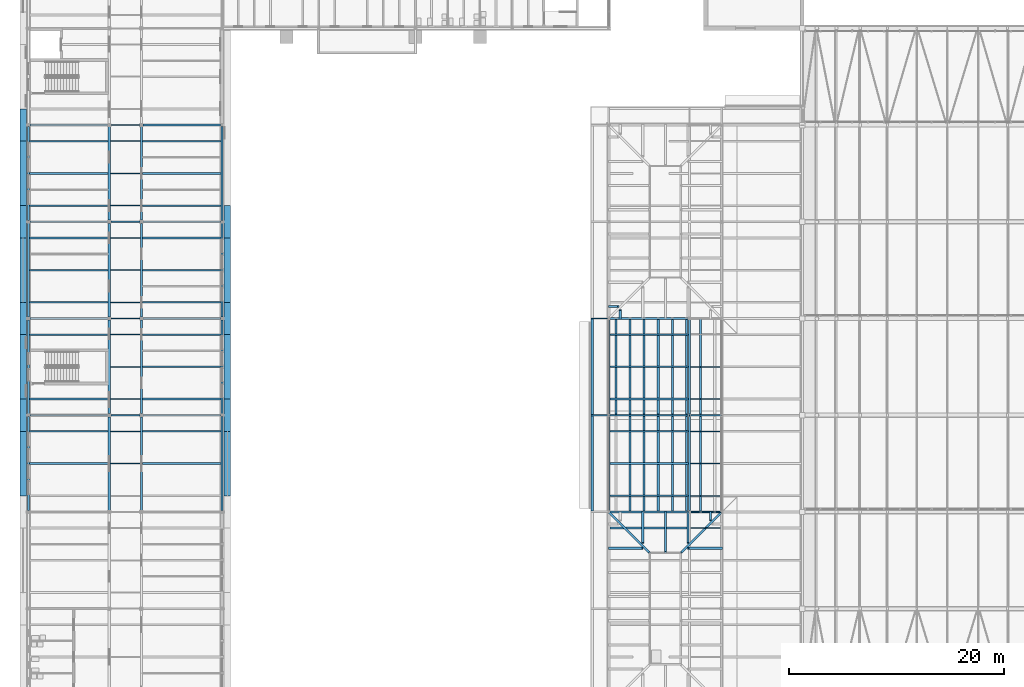
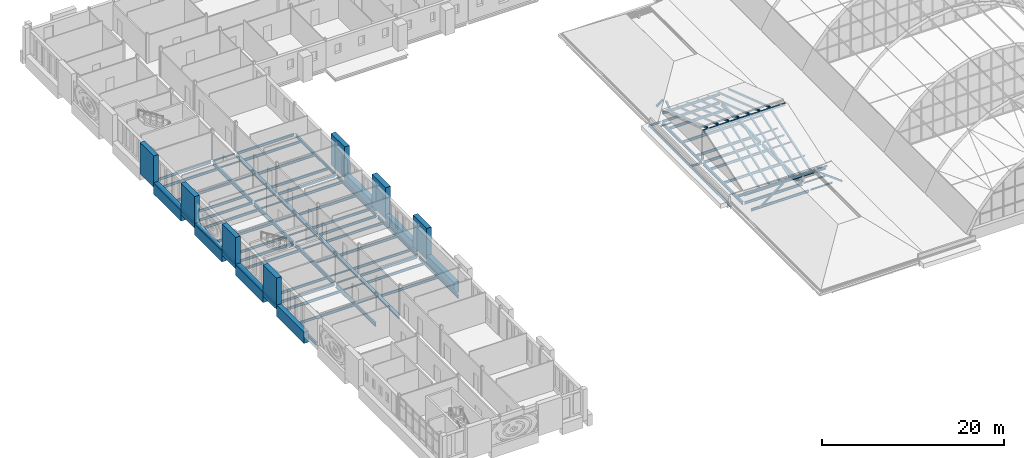
# One storey, part 18 of 121: 98 beams, 30 members.
"""IFC4 building model written with IfcOpenShell, lengths in metres."""

from ifc_helpers import new_model, si_unit, direction, frame, origin, origin_2d, place, context, subcontext, project, spatial, rectangle, hollow_rectangle, i_section, extrude, material, material_profile, profile_set, type_object, element, save


model = new_model("IFC4")

# Units and contexts
model_context = context("Model", 3, precision=1e-05, world=origin(), true_north=direction((0.0, 1.0)))
body_context = subcontext(model_context, "Body", "Model", "MODEL_VIEW")
ifc_project = project(units=[si_unit("LENGTHUNIT", "METRE"), si_unit("AREAUNIT", "SQUARE_METRE"), si_unit("VOLUMEUNIT", "CUBIC_METRE"), si_unit("PLANEANGLEUNIT", "RADIAN"), si_unit("MASSUNIT", "GRAM", prefix="KILO")], contexts=[model_context])

# Site, building, storey
site_placement = place(None, origin())
site = spatial("IfcSite", under=ifc_project, at=site_placement, CompositionType="ELEMENT")
building_placement = place(site_placement, origin())
building = spatial("IfcBuilding", under=site, at=building_placement, Name="Golden Quay Civic Hall", CompositionType="ELEMENT")
storey_placement = place(building_placement, frame((0.0, 0.0, 18.60009765625)))
storey = spatial("IfcBuildingStorey", under=building, at=storey_placement, Name="L04", CompositionType="ELEMENT", Elevation=18.60009765625)

# Beams
ifc_material_1 = material(Name="Steel S355", Category="steel")
ifc_material_profile_1 = material_profile(ifc_material_1, i_section(OverallWidth=0.199951171875, OverallDepth=0.18994140625, WebThickness=0.006591796875, FlangeThickness=0.010009765625, FilletRadius=0.01806640625, at=origin_2d()), Name="HEA 200")
ifc_profile_set_1 = profile_set([ifc_material_profile_1], Name="Steel S355")
beam_type_1 = type_object("IfcBeamType", Name="Eave edge beam HEA 200", PredefinedType="BEAM", material=ifc_profile_set_1)
for number, where, z_axis, x_axis, name in (
    (1, (52.449951171875, 18.0673828125, -0.34521484375), (0.0, 1.0, 0.0), (-1.0, 0.0, 0.0), "Eave edge beam HEA 200 L04 3"),
    (2, (52.449951171875, 27.0673828125, -0.34521484375), (0.0, 1.0, 0.0), (-1.0, 0.0, 0.0), "Eave edge beam HEA 200 L04 4"),
):
    element("IfcBeam", number, at=place(storey_placement, frame(where, z_axis=z_axis, x_axis=x_axis)), inside=storey, type_object=beam_type_1, Name=name, PredefinedType="BEAM", context=body_context, shape_type="SweptSolid", body=[
        extrude(i_section(OverallWidth=0.199951171875, OverallDepth=0.18994140625, WebThickness=0.006591796875, FlangeThickness=0.010009765625, FilletRadius=0.01806640625, at=origin_2d()), origin(), (0.0, 0.0, 1.0), 8.865234375),
    ])
ifc_material_2 = material(Name="Steel S355", Category="steel")
ifc_material_profile_2 = material_profile(ifc_material_2, i_section(OverallWidth=0.135009765625, OverallDepth=0.27001953125, WebThickness=0.006591796875, FlangeThickness=0.01025390625, FilletRadius=0.014892578125, at=origin_2d()), Name="IPE 270")
ifc_profile_set_2 = profile_set([ifc_material_profile_2], Name="Steel S355")
beam_type_2 = type_object("IfcBeamType", Name="Eave stub IPE 270", PredefinedType="BEAM", material=ifc_profile_set_2)
for number, where, z_axis, x_axis, name in (
    (3, (53.89990234375, 27.0, -0.385009765625), (-1.0, 0.0, 0.0), (0.0, -1.0, 0.0), "Eave stub IPE 270 L04 4"),
    (4, (53.89990234375, 36.0, -0.385009765625), (-1.0, 0.0, 0.0), (0.0, -1.0, 0.0), "Eave stub IPE 270 L04 5"),
):
    element("IfcBeam", number, at=place(storey_placement, frame(where, z_axis=z_axis, x_axis=x_axis)), inside=storey, type_object=beam_type_2, Name=name, PredefinedType="BEAM", context=body_context, shape_type="SweptSolid", body=[
        extrude(i_section(OverallWidth=0.135009765625, OverallDepth=0.27001953125, WebThickness=0.006591796875, FlangeThickness=0.01025390625, FilletRadius=0.014892578125, at=origin_2d()), origin(), (0.0, 0.0, 1.0), 1.5498046875),
    ])

# Members
ifc_material_3 = material(Name="Concrete C40/50", Category="concrete")
ifc_material_profile_3 = material_profile(ifc_material_3, rectangle(XDim=3.0, YDim=0.60009765625, at=origin_2d()), Name="RC 3000x600")
ifc_profile_set_3 = profile_set([ifc_material_profile_3], Name="Concrete C40/50")
member_type_1 = type_object("IfcMemberType", Name="Precast concrete facade pier 3000 x 600", PredefinedType="POST", material=ifc_profile_set_3)
for number, where, z_axis, x_axis, name in (
    (5, (-0.5, 27.0, 0.0), (0.0, 0.0, 1.0), (0.0, 1.0, 0.0), "Precast concrete facade pier 3000 x 600 L04 3"),
    (6, (-0.5, 36.0, 0.0), (0.0, 0.0, 1.0), (0.0, 1.0, 0.0), "Precast concrete facade pier 3000 x 600 L04 4"),
    (7, (-0.5, 45.0, 0.0), (0.0, 0.0, 1.0), (0.0, 1.0, 0.0), "Precast concrete facade pier 3000 x 600 L04 5"),
    (8, (-0.5, 54.0, 0.0), (0.0, 0.0, 1.0), (0.0, 1.0, 0.0), "Precast concrete facade pier 3000 x 600 L04 6"),
    (9, (18.5, 27.0, 0.0), (0.0, 0.0, 1.0), (0.0, 1.0, 0.0), "Precast concrete facade pier 3000 x 600 L04 14"),
    (10, (18.5, 36.0, 0.0), (0.0, 0.0, 1.0), (0.0, 1.0, 0.0), "Precast concrete facade pier 3000 x 600 L04 15"),
    (11, (18.5, 45.0, 0.0), (0.0, 0.0, 1.0), (0.0, 1.0, 0.0), "Precast concrete facade pier 3000 x 600 L04 16"),
):
    element("IfcMember", number, at=place(storey_placement, frame(where, z_axis=z_axis, x_axis=x_axis)), inside=storey, type_object=member_type_1, Name=name, PredefinedType="POST", context=body_context, shape_type="SweptSolid", body=[
        extrude(rectangle(XDim=3.0, YDim=0.60009765625, at=origin_2d()), origin(), (0.0, 0.0, 1.0), 4.199951171875),
    ])

# Beams
ifc_material_4 = material(Name="Concrete C40/50", Category="concrete")
ifc_material_profile_4 = material_profile(ifc_material_4, rectangle(XDim=0.60009765625, YDim=1.5, at=origin_2d()), Name="RC 600x1500")
ifc_profile_set_4 = profile_set([ifc_material_profile_4], Name="Concrete C40/50")
beam_type_3 = type_object("IfcBeamType", Name="Precast concrete spandrel beam 600 x 1500", PredefinedType="SPANDREL", material=ifc_profile_set_4)
for number, where, z_axis, x_axis, name in (
    (12, (-0.5, 37.5, -0.150146484375), (0.0, 1.0, 0.0), (-1.0, 0.0, 0.0), "Precast concrete spandrel beam 600 x 1500 L04 1"),
    (13, (-0.5, 46.5, -0.150146484375), (0.0, 1.0, 0.0), (-1.0, 0.0, 0.0), "Precast concrete spandrel beam 600 x 1500 L04 8"),
    (14, (-0.5, 28.5, -0.150146484375), (0.0, 1.0, 0.0), (-1.0, 0.0, 0.0), "Precast concrete spandrel beam 600 x 1500 L04 9"),
    (15, (-0.5, 19.5, -0.150146484375), (0.0, 1.0, 0.0), (-1.0, 0.0, 0.0), "Precast concrete spandrel beam 600 x 1500 L04 10"),
    (16, (18.5, 19.5, -0.150146484375), (0.0, 1.0, 0.0), (-1.0, 0.0, 0.0), "Precast concrete spandrel beam 600 x 1500 L04 15"),
    (17, (18.5, 37.5, -0.150146484375), (0.0, 1.0, 0.0), (-1.0, 0.0, 0.0), "Precast concrete spandrel beam 600 x 1500 L04 16"),
    (18, (18.5, 28.5, -0.150146484375), (0.0, 1.0, 0.0), (-1.0, 0.0, 0.0), "Precast concrete spandrel beam 600 x 1500 L04 17"),
):
    element("IfcBeam", number, at=place(storey_placement, frame(where, z_axis=z_axis, x_axis=x_axis)), inside=storey, type_object=beam_type_3, Name=name, PredefinedType="SPANDREL", context=body_context, shape_type="SweptSolid", body=[
        extrude(rectangle(XDim=0.60009765625, YDim=1.5, at=origin_2d()), origin(), (0.0, 0.0, 1.0), 6.0),
    ])
ifc_material_5 = material(Name="Steel S355", Category="steel")
ifc_material_profile_5 = material_profile(ifc_material_5, i_section(OverallWidth=0.10009765625, OverallDepth=0.199951171875, WebThickness=0.005615234375, FlangeThickness=0.008544921875, FilletRadius=0.011962890625, at=origin_2d()), Name="IPE 200")
ifc_profile_set_5 = profile_set([ifc_material_profile_5], Name="Steel S355")
beam_type_4 = type_object("IfcBeamType", Name="Steel beam IPE 200", PredefinedType="BEAM", material=ifc_profile_set_5)
for number, where, z_axis, x_axis, name in (
    (19, (7.64990234375, 27.0, -0.300048828125), (1.0, 0.0, 0.0), (0.0, 1.0, 0.0), "Beam S27-7.5"),
    (20, (7.64990234375, 36.0, -0.300048828125), (1.0, 0.0, 0.0), (0.0, 1.0, 0.0), "Beam S36-7.5"),
    (21, (7.64990234375, 45.0, -0.300048828125), (1.0, 0.0, 0.0), (0.0, 1.0, 0.0), "Beam S45-7.5"),
    (22, (7.64990234375, 54.0, -0.300048828125), (1.0, 0.0, 0.0), (0.0, 1.0, 0.0), "Beam S54-7.5"),
):
    element("IfcBeam", number, at=place(storey_placement, frame(where, z_axis=z_axis, x_axis=x_axis)), inside=storey, type_object=beam_type_4, Name=name, PredefinedType="BEAM", context=body_context, shape_type="SweptSolid", body=[
        extrude(i_section(OverallWidth=0.10009765625, OverallDepth=0.199951171875, WebThickness=0.005615234375, FlangeThickness=0.008544921875, FilletRadius=0.011962890625, at=origin_2d()), origin(), (0.0, 0.0, 1.0), 2.7001953125),
    ])
for number, where, z_axis, x_axis, name in (
    (23, (61.6201171875, 18.0, -0.35009765625), (1.0, 0.0, 0.0), (0.0, 1.0, 0.0), "Beam S18-61.5"),
    (24, (61.6201171875, 27.0, -0.35009765625), (1.0, 0.0, 0.0), (0.0, 1.0, 0.0), "Beam S27-61.5"),
):
    element("IfcBeam", number, at=place(storey_placement, frame(where, z_axis=z_axis, x_axis=x_axis)), inside=storey, type_object=beam_type_4, Name=name, PredefinedType="BEAM", context=body_context, shape_type="SweptSolid", body=[
        extrude(i_section(OverallWidth=0.10009765625, OverallDepth=0.199951171875, WebThickness=0.005615234375, FlangeThickness=0.008544921875, FilletRadius=0.011962890625, at=origin_2d()), origin(), (0.0, 0.0, 1.0), 2.759765625),
    ])
ifc_material_6 = material(Name="Steel S355", Category="steel")
ifc_material_profile_6 = material_profile(ifc_material_6, i_section(OverallWidth=0.159912109375, OverallDepth=0.330078125, WebThickness=0.007568359375, FlangeThickness=0.011474609375, FilletRadius=0.01806640625, at=origin_2d()), Name="IPE 330")
ifc_profile_set_6 = profile_set([ifc_material_profile_6], Name="Steel S355")
beam_type_5 = type_object("IfcBeamType", Name="Steel beam IPE 330", PredefinedType="BEAM", material=ifc_profile_set_6)
for number, where, z_axis, x_axis, name in (
    (25, (0.139892578125, 27.0, -0.364990234375), (1.0, 0.0, 0.0), (0.0, 1.0, 0.0), "Beam S27-0"),
    (26, (10.64990234375, 27.0, -0.364990234375), (1.0, 0.0, 0.0), (0.0, 1.0, 0.0), "Beam S27-10.5"),
    (27, (0.139892578125, 36.0, -0.364990234375), (1.0, 0.0, 0.0), (0.0, 1.0, 0.0), "Beam S36-0"),
    (28, (10.64990234375, 36.0, -0.364990234375), (1.0, 0.0, 0.0), (0.0, 1.0, 0.0), "Beam S36-10.5"),
    (29, (0.139892578125, 45.0, -0.364990234375), (1.0, 0.0, 0.0), (0.0, 1.0, 0.0), "Beam S45-0"),
    (30, (10.64990234375, 45.0, -0.364990234375), (1.0, 0.0, 0.0), (0.0, 1.0, 0.0), "Beam S45-10.5"),
    (31, (0.139892578125, 54.0, -0.364990234375), (1.0, 0.0, 0.0), (0.0, 1.0, 0.0), "Beam S54-0"),
    (32, (10.64990234375, 54.0, -0.364990234375), (1.0, 0.0, 0.0), (0.0, 1.0, 0.0), "Beam S54-10.5"),
):
    element("IfcBeam", number, at=place(storey_placement, frame(where, z_axis=z_axis, x_axis=x_axis)), inside=storey, type_object=beam_type_5, Name=name, PredefinedType="BEAM", context=body_context, shape_type="SweptSolid", body=[
        extrude(i_section(OverallWidth=0.159912109375, OverallDepth=0.330078125, WebThickness=0.007568359375, FlangeThickness=0.011474609375, FilletRadius=0.01806640625, at=origin_2d()), origin(), (0.0, 0.0, 1.0), 7.210205078125),
    ])
for number, where, z_axis, x_axis, name in (
    (33, (54.10009765625, 18.0, -0.4150390625), (1.0, 0.0, 0.0), (0.0, 1.0, 0.0), "Beam S18-54"),
    (34, (54.10009765625, 27.0, -0.4150390625), (1.0, 0.0, 0.0), (0.0, 1.0, 0.0), "Beam S27-54"),
    (35, (54.10009765625, 36.0, -0.4150390625), (1.0, 0.0, 0.0), (0.0, 1.0, 0.0), "Beam S36-54"),
):
    element("IfcBeam", number, at=place(storey_placement, frame(where, z_axis=z_axis, x_axis=x_axis)), inside=storey, type_object=beam_type_5, Name=name, PredefinedType="BEAM", context=body_context, shape_type="SweptSolid", body=[
        extrude(i_section(OverallWidth=0.159912109375, OverallDepth=0.330078125, WebThickness=0.007568359375, FlangeThickness=0.011474609375, FilletRadius=0.01806640625, at=origin_2d()), origin(), (0.0, 0.0, 1.0), 7.27978515625),
    ])
ifc_material_7 = material(Name="Steel S355", Category="steel")
ifc_material_profile_7 = material_profile(ifc_material_7, i_section(OverallWidth=0.179931640625, OverallDepth=0.39990234375, WebThickness=0.008544921875, FlangeThickness=0.013427734375, FilletRadius=0.02099609375, at=origin_2d()), Name="IPE 400")
ifc_profile_set_7 = profile_set([ifc_material_profile_7], Name="Steel S355")
beam_type_6 = type_object("IfcBeamType", Name="Steel beam IPE 400", PredefinedType="BEAM", material=ifc_profile_set_7)
for number, where, z_axis, x_axis, name in (
    (36, (0.0, 18.135009765625, -0.400146484375), (0.0, 1.0, 0.0), (-1.0, 0.0, 0.0), "Beam L0-18"),
    (37, (0.0, 27.135009765625, -0.400146484375), (0.0, 1.0, 0.0), (-1.0, 0.0, 0.0), "Beam L0-27"),
    (38, (0.0, 36.135009765625, -0.400146484375), (0.0, 1.0, 0.0), (-1.0, 0.0, 0.0), "Beam L0-36"),
    (39, (0.0, 45.135009765625, -0.400146484375), (0.0, 1.0, 0.0), (-1.0, 0.0, 0.0), "Beam L0-45"),
    (40, (18.0, 18.135009765625, -0.400146484375), (0.0, 1.0, 0.0), (-1.0, 0.0, 0.0), "Beam L18-18"),
    (41, (18.0, 27.135009765625, -0.400146484375), (0.0, 1.0, 0.0), (-1.0, 0.0, 0.0), "Beam L18-27"),
    (42, (18.0, 36.135009765625, -0.400146484375), (0.0, 1.0, 0.0), (-1.0, 0.0, 0.0), "Beam L18-36"),
    (43, (18.0, 45.135009765625, -0.400146484375), (0.0, 1.0, 0.0), (-1.0, 0.0, 0.0), "Beam L18-45"),
):
    element("IfcBeam", number, at=place(storey_placement, frame(where, z_axis=z_axis, x_axis=x_axis)), inside=storey, type_object=beam_type_6, Name=name, PredefinedType="BEAM", context=body_context, shape_type="SweptSolid", body=[
        extrude(i_section(OverallWidth=0.179931640625, OverallDepth=0.39990234375, WebThickness=0.008544921875, FlangeThickness=0.013427734375, FilletRadius=0.02099609375, at=origin_2d()), origin(), (0.0, 0.0, 1.0), 8.72998046875),
    ])
for number, where, z_axis, x_axis, name in (
    (44, (54.0, 18.094970703125, -0.4501953125), (0.0, 1.0, 0.0), (-1.0, 0.0, 0.0), "Beam L54-18"),
    (45, (54.0, 27.094970703125, -0.4501953125), (0.0, 1.0, 0.0), (-1.0, 0.0, 0.0), "Beam L54-27"),
):
    element("IfcBeam", number, at=place(storey_placement, frame(where, z_axis=z_axis, x_axis=x_axis)), inside=storey, type_object=beam_type_6, Name=name, PredefinedType="BEAM", context=body_context, shape_type="SweptSolid", body=[
        extrude(i_section(OverallWidth=0.179931640625, OverallDepth=0.39990234375, WebThickness=0.008544921875, FlangeThickness=0.013427734375, FilletRadius=0.02099609375, at=origin_2d()), origin(), (0.0, 0.0, 1.0), 8.81005859375),
    ])
ifc_material_8 = material(Name="Steel S355", Category="steel")
ifc_material_profile_8 = material_profile(ifc_material_8, i_section(OverallWidth=0.199951171875, OverallDepth=0.5, WebThickness=0.01025390625, FlangeThickness=0.01611328125, FilletRadius=0.02099609375, at=origin_2d()), Name="IPE 500")
ifc_profile_set_8 = profile_set([ifc_material_profile_8], Name="Steel S355")
beam_type_7 = type_object("IfcBeamType", Name="Steel beam IPE 500", PredefinedType="BEAM", material=ifc_profile_set_8)
for number, where, z_axis, x_axis, name in (
    (46, (7.5, 18.14501953125, -0.4501953125), (0.0, 1.0, 0.0), (-1.0, 0.0, 0.0), "Beam L7.5-18"),
    (47, (7.5, 27.14501953125, -0.4501953125), (0.0, 1.0, 0.0), (-1.0, 0.0, 0.0), "Beam L7.5-27"),
    (48, (7.5, 36.14501953125, -0.4501953125), (0.0, 1.0, 0.0), (-1.0, 0.0, 0.0), "Beam L7.5-36"),
    (49, (7.5, 45.14501953125, -0.4501953125), (0.0, 1.0, 0.0), (-1.0, 0.0, 0.0), "Beam L7.5-45"),
    (50, (10.5, 18.14501953125, -0.4501953125), (0.0, 1.0, 0.0), (-1.0, 0.0, 0.0), "Beam L10.5-18"),
    (51, (10.5, 27.14501953125, -0.4501953125), (0.0, 1.0, 0.0), (-1.0, 0.0, 0.0), "Beam L10.5-27"),
    (52, (10.5, 36.14501953125, -0.4501953125), (0.0, 1.0, 0.0), (-1.0, 0.0, 0.0), "Beam L10.5-36"),
    (53, (10.5, 45.14501953125, -0.4501953125), (0.0, 1.0, 0.0), (-1.0, 0.0, 0.0), "Beam L10.5-45"),
):
    element("IfcBeam", number, at=place(storey_placement, frame(where, z_axis=z_axis, x_axis=x_axis)), inside=storey, type_object=beam_type_7, Name=name, PredefinedType="BEAM", context=body_context, shape_type="SweptSolid", body=[
        extrude(i_section(OverallWidth=0.199951171875, OverallDepth=0.5, WebThickness=0.01025390625, FlangeThickness=0.01611328125, FilletRadius=0.02099609375, at=origin_2d()), origin(), (0.0, 0.0, 1.0), 8.7099609375),
    ])
for number, where, z_axis, x_axis, name in (
    (54, (61.5, 18.114990234375, -0.5), (0.0, 1.0, 0.0), (-1.0, 0.0, 0.0), "Beam L61.5-18"),
    (55, (61.5, 27.114990234375, -0.5), (0.0, 1.0, 0.0), (-1.0, 0.0, 0.0), "Beam L61.5-27"),
):
    element("IfcBeam", number, at=place(storey_placement, frame(where, z_axis=z_axis, x_axis=x_axis)), inside=storey, type_object=beam_type_7, Name=name, PredefinedType="BEAM", context=body_context, shape_type="SweptSolid", body=[
        extrude(i_section(OverallWidth=0.199951171875, OverallDepth=0.5, WebThickness=0.01025390625, FlangeThickness=0.01611328125, FilletRadius=0.02099609375, at=origin_2d()), origin(), (0.0, 0.0, 1.0), 8.77001953125),
    ])

# Members
ifc_material_9 = material(Name="Steel S355", Category="steel")
ifc_material_profile_9 = material_profile(ifc_material_9, hollow_rectangle(XDim=0.199951171875, YDim=0.199951171875, WallThickness=0.010009765625, at=origin_2d()), Name="SHS 200x200x10")
ifc_profile_set_9 = profile_set([ifc_material_profile_9], Name="Steel S355")
member_type_2 = type_object("IfcMemberType", Name="Steel jack rafter SHS 200x200x10", PredefinedType="RAFTER", material=ifc_profile_set_9)
member_1_placement = place(storey_placement, frame((57.14990234375, 18.0, 0.96484375), z_axis=(0.0, -0.799983835699, 0.600021551797), x_axis=(1.0, 0.0, 0.0)))
element("IfcMember", 56, at=member_1_placement, inside=storey, type_object=member_type_2, Name="Jack rafter WM-S north 2", PredefinedType="RAFTER", context=body_context, shape_type="SweptSolid", body=[
    extrude(hollow_rectangle(XDim=0.199951171875, YDim=0.199951171875, WallThickness=0.010009765625, at=origin_2d()), origin(), (0.0, 0.0, 1.0), 3.625),
])
member_2_placement = place(storey_placement, frame((59.25, 18.0, 0.96484375), z_axis=(0.0, -0.8, 0.6), x_axis=(1.0, 0.0, 0.0)))
element("IfcMember", 57, at=member_2_placement, inside=storey, type_object=member_type_2, Name="Jack rafter WM-S north 3", PredefinedType="RAFTER", context=body_context, shape_type="SweptSolid", body=[
    extrude(hollow_rectangle(XDim=0.199951171875, YDim=0.199951171875, WallThickness=0.010009765625, at=origin_2d()), origin(), (0.0, 0.0, 1.0), 4.6875),
])
member_3_placement = place(storey_placement, frame((61.35009765625, 18.0, 0.96484375), z_axis=(0.0, -0.799983835699, 0.600021551797), x_axis=(1.0, 0.0, 0.0)))
element("IfcMember", 58, at=member_3_placement, inside=storey, type_object=member_type_2, Name="Jack rafter WM-S north 4", PredefinedType="RAFTER", context=body_context, shape_type="SweptSolid", body=[
    extrude(hollow_rectangle(XDim=0.199951171875, YDim=0.199951171875, WallThickness=0.010009765625, at=origin_2d()), origin(), (0.0, 0.0, 1.0), 3.625),
])
member_4_placement = place(storey_placement, frame((63.449951171875, 18.0, 0.96484375), z_axis=(0.0, -0.799970705032, 0.600039057971), x_axis=(1.0, 0.0, 0.0)))
element("IfcMember", 59, at=member_4_placement, inside=storey, type_object=member_type_2, Name="Jack rafter WM-S north 5", PredefinedType="RAFTER", context=body_context, shape_type="SweptSolid", body=[
    extrude(hollow_rectangle(XDim=0.199951171875, YDim=0.199951171875, WallThickness=0.010009765625, at=origin_2d()), origin(), (0.0, 0.0, 1.0), 1.0),
])
for number, where, z_axis, x_axis, name in (
    (60, (54.0, 14.625, 0.96484375), (0.8, 0.0, 0.6), (0.0, 1.0, 0.0), "Jack rafter WM-S west 7"),
    (61, (64.5, 14.625, 0.96484375), (-0.8, 0.0, 0.6), (0.0, -1.0, 0.0), "Jack rafter WM-S east 7"),
):
    element("IfcMember", number, at=place(storey_placement, frame(where, z_axis=z_axis, x_axis=x_axis)), inside=storey, type_object=member_type_2, Name=name, PredefinedType="RAFTER", context=body_context, shape_type="SweptSolid", body=[
        extrude(hollow_rectangle(XDim=0.199951171875, YDim=0.199951171875, WallThickness=0.010009765625, at=origin_2d()), origin(), (0.0, 0.0, 1.0), 3.90625),
    ])
member_5_placement = place(storey_placement, frame((55.050048828125, 36.0, 0.96484375), z_axis=(0.0, 0.799970705032, 0.600039057971), x_axis=(-1.0, 0.0, 0.0)))
element("IfcMember", 62, at=member_5_placement, inside=storey, type_object=member_type_2, Name="Jack rafter WM-N south 1", PredefinedType="RAFTER", context=body_context, shape_type="SweptSolid", body=[
    extrude(hollow_rectangle(XDim=0.199951171875, YDim=0.199951171875, WallThickness=0.010009765625, at=origin_2d()), origin(), (0.0, 0.0, 1.0), 1.0),
])
member_6_placement = place(storey_placement, frame((54.0, 37.125, 0.96484375), z_axis=(0.8, 0.0, 0.6), x_axis=(0.0, 1.0, 0.0)))
element("IfcMember", 63, at=member_6_placement, inside=storey, type_object=member_type_2, Name="Jack rafter WM-N west 1", PredefinedType="RAFTER", context=body_context, shape_type="SweptSolid", body=[
    extrude(hollow_rectangle(XDim=0.199951171875, YDim=0.199951171875, WallThickness=0.010009765625, at=origin_2d()), origin(), (0.0, 0.0, 1.0), 1.09375),
])
for number, where, z_axis, x_axis, name in (
    (64, (55.96875, 18.0, 0.990478515625), (0.0, 0.947254558797, 0.320482138095), (-1.0, 0.0, 0.0), "Gable rafter south 2"),
    (65, (57.28125, 18.0, 0.990478515625), (0.0, 0.947254558797, 0.320482138095), (-1.0, 0.0, 0.0), "Gable rafter south 3"),
    (66, (58.59375, 18.0, 0.990478515625), (0.0, 0.947254558797, 0.320482138095), (-1.0, 0.0, 0.0), "Gable rafter south 4"),
    (67, (59.90625, 18.0, 0.990478515625), (0.0, 0.947254558797, 0.320482138095), (-1.0, 0.0, 0.0), "Gable rafter south 5"),
    (68, (61.21875, 18.0, 0.990478515625), (0.0, 0.947254558797, 0.320482138095), (-1.0, 0.0, 0.0), "Gable rafter south 6"),
    (69, (62.53125, 18.0, 0.990478515625), (0.0, 0.947254558797, 0.320482138095), (-1.0, 0.0, 0.0), "Gable rafter south 7"),
    (70, (54.65625, 36.0, 0.990478515625), (0.0, -0.947254558797, 0.320482138095), (1.0, 0.0, 0.0), "Gable rafter north 1"),
    (71, (55.96875, 36.0, 0.990478515625), (0.0, -0.947254558797, 0.320482138095), (1.0, 0.0, 0.0), "Gable rafter north 2"),
    (72, (57.28125, 36.0, 0.990478515625), (0.0, -0.947254558797, 0.320482138095), (1.0, 0.0, 0.0), "Gable rafter north 3"),
    (73, (58.59375, 36.0, 0.990478515625), (0.0, -0.947254558797, 0.320482138095), (1.0, 0.0, 0.0), "Gable rafter north 4"),
    (74, (59.90625, 36.0, 0.990478515625), (0.0, -0.947254558797, 0.320482138095), (1.0, 0.0, 0.0), "Gable rafter north 5"),
    (75, (61.21875, 36.0, 0.990478515625), (0.0, -0.947254558797, 0.320482138095), (1.0, 0.0, 0.0), "Gable rafter north 6"),
    (76, (62.53125, 36.0, 0.990478515625), (0.0, -0.947254558797, 0.320482138095), (1.0, 0.0, 0.0), "Gable rafter north 7"),
):
    element("IfcMember", number, at=place(storey_placement, frame(where, z_axis=z_axis, x_axis=x_axis)), inside=storey, type_object=member_type_2, Name=name, PredefinedType="RAFTER", context=body_context, shape_type="SweptSolid", body=[
        extrude(hollow_rectangle(XDim=0.199951171875, YDim=0.199951171875, WallThickness=0.010009765625, at=origin_2d()), origin(), (0.0, 0.0, 1.0), 9.42724609375),
    ])

# Beams
ifc_material_10 = material(Name="Steel S355", Category="steel")
ifc_material_profile_10 = material_profile(ifc_material_10, i_section(OverallWidth=0.10009765625, OverallDepth=0.199951171875, WebThickness=0.005615234375, FlangeThickness=0.008544921875, FilletRadius=0.011962890625, at=origin_2d()), Name="IPE 200")
ifc_profile_set_10 = profile_set([ifc_material_profile_10], Name="Steel S355")
beam_type_8 = type_object("IfcBeamType", Name="Steel joist IPE 200", PredefinedType="JOIST", material=ifc_profile_set_10)
for number, where, z_axis, x_axis, name in (
    (77, (7.60009765625, 22.5, -0.300048828125), (1.0, 0.0, 0.0), (0.0, 1.0, 0.0), "Joist J22.5-7.5"),
    (78, (7.60009765625, 25.5, -0.300048828125), (1.0, 0.0, 0.0), (0.0, 1.0, 0.0), "Joist J25.5-7.5"),
    (79, (7.60009765625, 28.5, -0.300048828125), (1.0, 0.0, 0.0), (0.0, 1.0, 0.0), "Joist J28.5-7.5"),
    (80, (7.60009765625, 31.5, -0.300048828125), (1.0, 0.0, 0.0), (0.0, 1.0, 0.0), "Joist J31.5-7.5"),
    (81, (7.60009765625, 34.5, -0.300048828125), (1.0, 0.0, 0.0), (0.0, 1.0, 0.0), "Joist J34.5-7.5"),
    (82, (7.60009765625, 37.5, -0.300048828125), (1.0, 0.0, 0.0), (0.0, 1.0, 0.0), "Joist J37.5-7.5"),
    (83, (7.60009765625, 40.5, -0.300048828125), (1.0, 0.0, 0.0), (0.0, 1.0, 0.0), "Joist J40.5-7.5"),
    (84, (7.60009765625, 43.5, -0.300048828125), (1.0, 0.0, 0.0), (0.0, 1.0, 0.0), "Joist J43.5-7.5"),
    (85, (7.60009765625, 46.5, -0.300048828125), (1.0, 0.0, 0.0), (0.0, 1.0, 0.0), "Joist J46.5-7.5"),
    (86, (7.60009765625, 49.5, -0.300048828125), (1.0, 0.0, 0.0), (0.0, 1.0, 0.0), "Joist J49.5-7.5"),
    (87, (7.60009765625, 52.5, -0.300048828125), (1.0, 0.0, 0.0), (0.0, 1.0, 0.0), "Joist J52.5-7.5"),
    (88, (61.60009765625, 16.5, -0.35009765625), (1.0, 0.0, 0.0), (0.0, 1.0, 0.0), "Joist J16.5-61.5"),
    (89, (61.60009765625, 19.5, -0.35009765625), (1.0, 0.0, 0.0), (0.0, 1.0, 0.0), "Joist J19.5-61.5"),
    (90, (61.60009765625, 22.5, -0.35009765625), (1.0, 0.0, 0.0), (0.0, 1.0, 0.0), "Joist J22.5-61.5"),
    (91, (61.60009765625, 25.5, -0.35009765625), (1.0, 0.0, 0.0), (0.0, 1.0, 0.0), "Joist J25.5-61.5"),
    (92, (61.60009765625, 28.5, -0.35009765625), (1.0, 0.0, 0.0), (0.0, 1.0, 0.0), "Joist J28.5-61.5"),
    (93, (61.60009765625, 31.5, -0.35009765625), (1.0, 0.0, 0.0), (0.0, 1.0, 0.0), "Joist J31.5-61.5"),
):
    element("IfcBeam", number, at=place(storey_placement, frame(where, z_axis=z_axis, x_axis=x_axis)), inside=storey, type_object=beam_type_8, Name=name, PredefinedType="JOIST", context=body_context, shape_type="SweptSolid", body=[
        extrude(i_section(OverallWidth=0.10009765625, OverallDepth=0.199951171875, WebThickness=0.005615234375, FlangeThickness=0.008544921875, FilletRadius=0.011962890625, at=origin_2d()), origin(), (0.0, 0.0, 1.0), 2.7998046875),
    ])
ifc_material_11 = material(Name="Steel S355", Category="steel")
ifc_material_profile_11 = material_profile(ifc_material_11, i_section(OverallWidth=0.159912109375, OverallDepth=0.330078125, WebThickness=0.007568359375, FlangeThickness=0.011474609375, FilletRadius=0.01806640625, at=origin_2d()), Name="IPE 330")
ifc_profile_set_11 = profile_set([ifc_material_profile_11], Name="Steel S355")
beam_type_9 = type_object("IfcBeamType", Name="Steel joist IPE 330", PredefinedType="JOIST", material=ifc_profile_set_11)
for number, where, z_axis, x_axis, name in (
    (94, (0.090087890625, 22.5, -0.364990234375), (1.0, 0.0, 0.0), (0.0, 1.0, 0.0), "Joist J22.5-0"),
    (95, (10.60009765625, 22.5, -0.364990234375), (1.0, 0.0, 0.0), (0.0, 1.0, 0.0), "Joist J22.5-10.5"),
    (96, (0.090087890625, 25.5, -0.364990234375), (1.0, 0.0, 0.0), (0.0, 1.0, 0.0), "Joist J25.5-0"),
    (97, (10.60009765625, 25.5, -0.364990234375), (1.0, 0.0, 0.0), (0.0, 1.0, 0.0), "Joist J25.5-10.5"),
    (98, (0.090087890625, 28.5, -0.364990234375), (1.0, 0.0, 0.0), (0.0, 1.0, 0.0), "Joist J28.5-0"),
    (99, (10.60009765625, 28.5, -0.364990234375), (1.0, 0.0, 0.0), (0.0, 1.0, 0.0), "Joist J28.5-10.5"),
    (100, (10.60009765625, 31.5, -0.364990234375), (1.0, 0.0, 0.0), (0.0, 1.0, 0.0), "Joist J31.5-10.5"),
    (101, (0.090087890625, 34.5, -0.364990234375), (1.0, 0.0, 0.0), (0.0, 1.0, 0.0), "Joist J34.5-0"),
    (102, (10.60009765625, 34.5, -0.364990234375), (1.0, 0.0, 0.0), (0.0, 1.0, 0.0), "Joist J34.5-10.5"),
    (103, (0.090087890625, 37.5, -0.364990234375), (1.0, 0.0, 0.0), (0.0, 1.0, 0.0), "Joist J37.5-0"),
    (104, (10.60009765625, 37.5, -0.364990234375), (1.0, 0.0, 0.0), (0.0, 1.0, 0.0), "Joist J37.5-10.5"),
    (105, (0.090087890625, 40.5, -0.364990234375), (1.0, 0.0, 0.0), (0.0, 1.0, 0.0), "Joist J40.5-0"),
    (106, (10.60009765625, 40.5, -0.364990234375), (1.0, 0.0, 0.0), (0.0, 1.0, 0.0), "Joist J40.5-10.5"),
    (107, (0.090087890625, 43.5, -0.364990234375), (1.0, 0.0, 0.0), (0.0, 1.0, 0.0), "Joist J43.5-0"),
    (108, (10.60009765625, 43.5, -0.364990234375), (1.0, 0.0, 0.0), (0.0, 1.0, 0.0), "Joist J43.5-10.5"),
    (109, (0.090087890625, 46.5, -0.364990234375), (1.0, 0.0, 0.0), (0.0, 1.0, 0.0), "Joist J46.5-0"),
    (110, (10.60009765625, 46.5, -0.364990234375), (1.0, 0.0, 0.0), (0.0, 1.0, 0.0), "Joist J46.5-10.5"),
    (111, (0.090087890625, 49.5, -0.364990234375), (1.0, 0.0, 0.0), (0.0, 1.0, 0.0), "Joist J49.5-0"),
    (112, (10.60009765625, 49.5, -0.364990234375), (1.0, 0.0, 0.0), (0.0, 1.0, 0.0), "Joist J49.5-10.5"),
    (113, (0.090087890625, 52.5, -0.364990234375), (1.0, 0.0, 0.0), (0.0, 1.0, 0.0), "Joist J52.5-0"),
    (114, (10.60009765625, 52.5, -0.364990234375), (1.0, 0.0, 0.0), (0.0, 1.0, 0.0), "Joist J52.5-10.5"),
    (115, (54.090087890625, 16.5, -0.4150390625), (1.0, 0.0, 0.0), (0.0, 1.0, 0.0), "Joist J16.5-54"),
    (116, (54.090087890625, 19.5, -0.4150390625), (1.0, 0.0, 0.0), (0.0, 1.0, 0.0), "Joist J19.5-54"),
    (117, (54.090087890625, 22.5, -0.4150390625), (1.0, 0.0, 0.0), (0.0, 1.0, 0.0), "Joist J22.5-54"),
    (118, (54.090087890625, 25.5, -0.4150390625), (1.0, 0.0, 0.0), (0.0, 1.0, 0.0), "Joist J25.5-54"),
    (119, (54.090087890625, 28.5, -0.4150390625), (1.0, 0.0, 0.0), (0.0, 1.0, 0.0), "Joist J28.5-54"),
    (120, (54.090087890625, 31.5, -0.4150390625), (1.0, 0.0, 0.0), (0.0, 1.0, 0.0), "Joist J31.5-54"),
    (121, (54.090087890625, 34.5, -0.4150390625), (1.0, 0.0, 0.0), (0.0, 1.0, 0.0), "Joist J34.5-54"),
):
    element("IfcBeam", number, at=place(storey_placement, frame(where, z_axis=z_axis, x_axis=x_axis)), inside=storey, type_object=beam_type_9, Name=name, PredefinedType="JOIST", context=body_context, shape_type="SweptSolid", body=[
        extrude(i_section(OverallWidth=0.159912109375, OverallDepth=0.330078125, WebThickness=0.007568359375, FlangeThickness=0.011474609375, FilletRadius=0.01806640625, at=origin_2d()), origin(), (0.0, 0.0, 1.0), 7.309814453125),
    ])

# Members
ifc_material_12 = material(Name="Steel S355", Category="steel")
ifc_material_profile_12 = material_profile(ifc_material_12, hollow_rectangle(XDim=0.199951171875, YDim=0.199951171875, WallThickness=0.010009765625, at=origin_2d()), Name="SHS 200x200x10")
ifc_profile_set_12 = profile_set([ifc_material_profile_12], Name="Steel S355")
member_type_3 = type_object("IfcMemberType", Name="Steel pavilion hip rafter SHS 200x200x10", PredefinedType="RAFTER", material=ifc_profile_set_12)
for number, where, z_axis, x_axis, name in (
    (122, (54.0, 18.0, 0.92822265625), (0.625782928891, -0.625782928891, 0.465608689584), (0.707106781187, 0.707106781187, 0.0), "Hip rafter WM-S north-west"),
    (123, (64.5, 18.0, 0.92822265625), (-0.625782928891, -0.625782928891, 0.465608689584), (0.707106781187, -0.707106781187, 0.0), "Hip rafter WM-S north-east"),
):
    element("IfcMember", number, at=place(storey_placement, frame(where, z_axis=z_axis, x_axis=x_axis)), inside=storey, type_object=member_type_3, Name=name, PredefinedType="RAFTER", context=body_context, shape_type="SweptSolid", body=[
        extrude(hollow_rectangle(XDim=0.199951171875, YDim=0.199951171875, WallThickness=0.010009765625, at=origin_2d()), origin(), (0.0, 0.0, 1.0), 6.04052734375),
    ])

# Beams
ifc_material_13 = material(Name="Steel S355", Category="steel")
ifc_material_profile_13 = material_profile(ifc_material_13, i_section(OverallWidth=0.159912109375, OverallDepth=0.330078125, WebThickness=0.007568359375, FlangeThickness=0.011474609375, FilletRadius=0.01806640625, at=origin_2d()), Name="IPE 330")
ifc_profile_set_13 = profile_set([ifc_material_profile_13], Name="Steel S355")
beam_type_10 = type_object("IfcBeamType", Name="Steel roof ridge beam IPE 330", PredefinedType="BEAM", material=ifc_profile_set_13)
beam_1_placement = place(storey_placement, frame((54.0, 27.0, 3.764892578125), z_axis=(1.0, 0.0, 0.0), x_axis=(0.0, 1.0, 0.0)))
element("IfcBeam", 124, at=beam_1_placement, inside=storey, type_object=beam_type_10, Name="Gable ridge beam 1", PredefinedType="BEAM", context=body_context, shape_type="SweptSolid", body=[
    extrude(i_section(OverallWidth=0.159912109375, OverallDepth=0.330078125, WebThickness=0.007568359375, FlangeThickness=0.011474609375, FilletRadius=0.01806640625, at=origin_2d()), origin(), (0.0, 0.0, 1.0), 7.5),
])
beam_2_placement = place(storey_placement, frame((61.5, 27.0, 3.764892578125), z_axis=(1.0, 0.0, 0.0), x_axis=(0.0, 1.0, 0.0)))
element("IfcBeam", 125, at=beam_2_placement, inside=storey, type_object=beam_type_10, Name="Gable ridge beam 2", PredefinedType="BEAM", context=body_context, shape_type="SweptSolid", body=[
    extrude(i_section(OverallWidth=0.159912109375, OverallDepth=0.330078125, WebThickness=0.007568359375, FlangeThickness=0.011474609375, FilletRadius=0.01806640625, at=origin_2d()), origin(), (0.0, 0.0, 1.0), 3.0),
])
ifc_material_14 = material(Name="Steel S355", Category="steel")
ifc_material_profile_14 = material_profile(ifc_material_14, i_section(OverallWidth=0.159912109375, OverallDepth=0.330078125, WebThickness=0.007568359375, FlangeThickness=0.011474609375, FilletRadius=0.01806640625, at=origin_2d()), Name="IPE 330")
ifc_profile_set_14 = profile_set([ifc_material_profile_14], Name="Steel S355")
beam_type_11 = type_object("IfcBeamType", Name="Steel wall plate beam IPE 330", PredefinedType="BEAM", material=ifc_profile_set_14)
beam_3_placement = place(storey_placement, frame((54.080078125, 18.0, 0.719970703125), z_axis=(1.0, 0.0, 0.0), x_axis=(0.0, 1.0, 0.0)))
element("IfcBeam", 126, at=beam_3_placement, inside=storey, type_object=beam_type_11, Name="Wall plate beam WM-S N1", PredefinedType="BEAM", context=body_context, shape_type="SweptSolid", body=[
    extrude(i_section(OverallWidth=0.159912109375, OverallDepth=0.330078125, WebThickness=0.007568359375, FlangeThickness=0.011474609375, FilletRadius=0.01806640625, at=origin_2d()), origin(), (0.0, 0.0, 1.0), 7.2998046875),
])
beam_4_placement = place(storey_placement, frame((61.6201171875, 18.0, 0.719970703125), z_axis=(1.0, 0.0, 0.0), x_axis=(0.0, 1.0, 0.0)))
element("IfcBeam", 127, at=beam_4_placement, inside=storey, type_object=beam_type_11, Name="Wall plate beam WM-S N2", PredefinedType="BEAM", context=body_context, shape_type="SweptSolid", body=[
    extrude(i_section(OverallWidth=0.159912109375, OverallDepth=0.330078125, WebThickness=0.007568359375, FlangeThickness=0.011474609375, FilletRadius=0.01806640625, at=origin_2d()), origin(), (0.0, 0.0, 1.0), 2.7998046875),
])
beam_5_placement = place(storey_placement, frame((54.080078125, 36.0, 0.719970703125), z_axis=(1.0, 0.0, 0.0), x_axis=(0.0, 1.0, 0.0)))
element("IfcBeam", 128, at=beam_5_placement, inside=storey, type_object=beam_type_11, Name="Wall plate beam WM-N S1", PredefinedType="BEAM", context=body_context, shape_type="SweptSolid", body=[
    extrude(i_section(OverallWidth=0.159912109375, OverallDepth=0.330078125, WebThickness=0.007568359375, FlangeThickness=0.011474609375, FilletRadius=0.01806640625, at=origin_2d()), origin(), (0.0, 0.0, 1.0), 7.2998046875),
])

save(model, "model.ifc")
